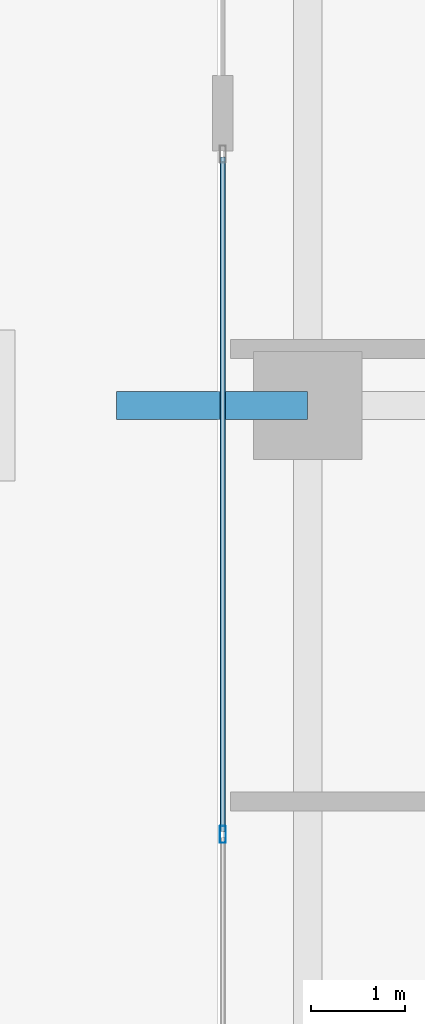
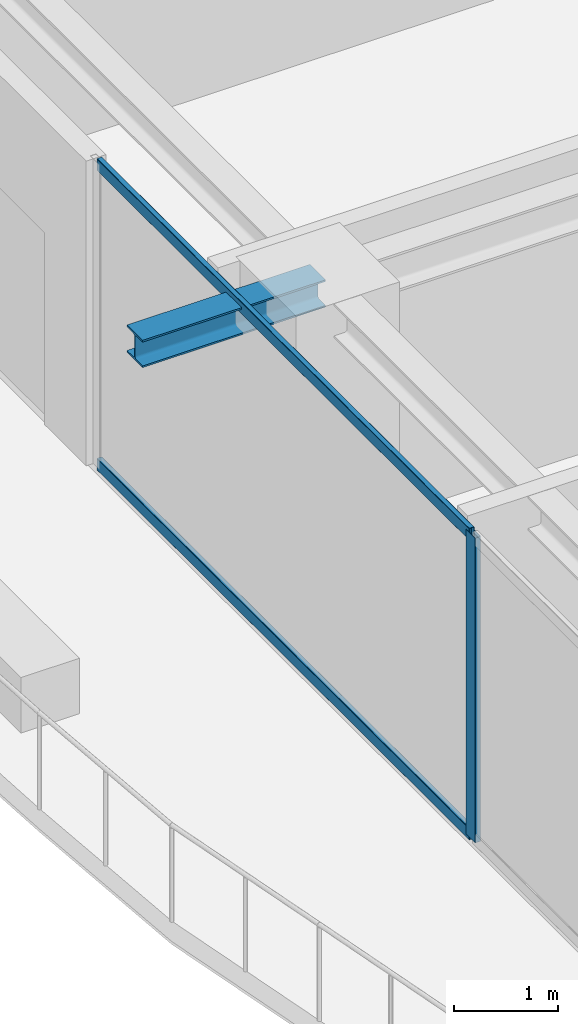
# One storey, part 8 of 36: 3 members, 1 beam, 1 element without a shape of its own.
"""IFC4 building model written with IfcOpenShell, lengths in metres."""

from ifc_helpers import new_model, si_unit, direction, frame, origin, origin_2d, place, context, subcontext, project, spatial, hollow_rectangle, i_section, extrude, source, transform, mapped, material, layer, layer_set, material_profile, profile_set, type_object, element, aggregate, save


model = new_model("IFC4")

# Units and contexts
model_context = context("Model", 3, precision=1e-05, world=origin(), true_north=direction((0.0, 1.0)))
body_context = subcontext(model_context, "Body", "Model", "MODEL_VIEW")
ifc_project = project(units=[si_unit("LENGTHUNIT", "METRE"), si_unit("AREAUNIT", "SQUARE_METRE"), si_unit("VOLUMEUNIT", "CUBIC_METRE"), si_unit("PLANEANGLEUNIT", "RADIAN"), si_unit("MASSUNIT", "GRAM", prefix="KILO")], contexts=[model_context])

# Site, building, storey
site_placement = place(None, origin())
site = spatial("IfcSite", under=ifc_project, at=site_placement, CompositionType="ELEMENT")
building_placement = place(site_placement, origin())
building = spatial("IfcBuilding", under=site, at=building_placement, Name="Serunith Strait Residences", CompositionType="ELEMENT")
storey_placement = place(building_placement, frame((0.0, 0.0, 256.64990234375)))
storey = spatial("IfcBuildingStorey", under=building, at=storey_placement, Name="L64", CompositionType="ELEMENT", Elevation=256.64990234375)

# Beam
ifc_material_1 = material(Name="Steel S355J2", Category="steel")
ifc_material_profile_1 = material_profile(ifc_material_1, i_section(OverallWidth=0.300048828125, OverallDepth=0.320068359375, WebThickness=0.011474609375, FlangeThickness=0.0205078125, FilletRadius=0.027099609375, at=origin_2d()), Name="HEB 320")
ifc_profile_set_1 = profile_set([ifc_material_profile_1], Name="Steel S355J2")
beam_type = type_object("IfcBeamType", Name="BM-HEB320", PredefinedType="BEAM", material=ifc_profile_set_1)
shared_shape_1 = source(origin(), body_context, "Body", "SweptSolid", [
    extrude(i_section(OverallWidth=0.300048828125, OverallDepth=0.320068359375, WebThickness=0.011474609375, FlangeThickness=0.0205078125, FilletRadius=0.027099609375, at=origin_2d()), origin(), (0.0, 0.0, 1.0), 2.030029296875),
])
beam_placement = place(storey_placement, frame((8.300048828125, 21.0, 3.397216796875), z_axis=(-1.0, 0.0, 0.0), x_axis=(0.0, -1.0, 0.0)))
element("IfcBeam", 1, at=beam_placement, inside=storey, type_object=beam_type, Name="L65 Cantilevered Balcony Rib TC-W2", PredefinedType="BEAM", context=body_context, shape_type="MappedRepresentation", body=[
    mapped(shared_shape_1, transform((0.0, 0.0, 0.0), scale=1.0)),
])

# Curtain wall, members
ifc_material_2 = material(Name="Pale-Champagne Anodised Aluminium", Category="aluminium")
ifc_layer = layer(ifc_material_2, 0.199951171875, Name="Pale-Champagne Anodised Aluminium")
ifc_layer_set = layer_set([ifc_layer], Name="Pale-Champagne Anodised Aluminium")
curtain_wall_type = type_object("IfcCurtainWallType", Name="CW-SYS4", PredefinedType="NOTDEFINED", material=ifc_layer_set)
curtain_wall_placement = place(storey_placement, origin())
curtain_wall = element("IfcCurtainWall", 2, at=curtain_wall_placement, inside=storey, type_object=curtain_wall_type, Name="L64 W Unitised Fritted Curtain Wall", PredefinedType="NOTDEFINED")
ifc_material_profile_2 = material_profile(ifc_material_2, hollow_rectangle(XDim=0.06005859375, YDim=0.139892578125, WallThickness=0.00341796875, InnerFilletRadius=0.00537109375, OuterFilletRadius=0.0087890625, at=origin_2d()), Name="ALU 140x60x3.5")
ifc_profile_set_2 = profile_set([ifc_material_profile_2], Name="Pale-Champagne Anodised Aluminium")
member_type_1 = type_object("IfcMemberType", Name="CW-SYS4-TRAN", PredefinedType="USERDEFINED", material=ifc_profile_set_2)
shared_shape_2 = source(origin(), body_context, "Body", "SweptSolid", [
    extrude(hollow_rectangle(XDim=0.06005859375, YDim=0.139892578125, WallThickness=0.00341796875, InnerFilletRadius=0.00537109375, OuterFilletRadius=0.0087890625, at=origin_2d()), origin(), (0.0, 0.0, 1.0), 7.152587890625),
])
member_1_placement = place(storey_placement, frame((7.39990234375, 23.635009765625, 0.030029296875), z_axis=(0.0, -1.0, 0.0), x_axis=(1.0, 0.0, 0.0)))
member_1 = element("IfcMember", 3, at=member_1_placement, type_object=member_type_1, Name="CW-4 transom 1.1", ObjectType="TRANSOM", PredefinedType="USERDEFINED", context=body_context, shape_type="MappedRepresentation", body=[
    mapped(shared_shape_2, transform((0.0, 0.0, 0.0), scale=1.0)),
])
member_2_placement = place(storey_placement, frame((7.39990234375, 23.635009765625, 3.545166015625), z_axis=(0.0, -1.0, 0.0), x_axis=(1.0, 0.0, 0.0)))
member_2 = element("IfcMember", 4, at=member_2_placement, type_object=member_type_1, Name="CW-4 transom 1.2", ObjectType="TRANSOM", PredefinedType="USERDEFINED", context=body_context, shape_type="MappedRepresentation", body=[
    mapped(shared_shape_2, transform((0.0, 0.0, 0.0), scale=1.0)),
])
ifc_material_profile_3 = material_profile(ifc_material_2, hollow_rectangle(XDim=0.06494140625, YDim=0.179931640625, WallThickness=0.00341796875, InnerFilletRadius=0.00537109375, OuterFilletRadius=0.0087890625, at=origin_2d()), Name="ALU 180x65x3.5")
ifc_profile_set_3 = profile_set([ifc_material_profile_3], Name="Pale-Champagne Anodised Aluminium")
member_type_2 = type_object("IfcMemberType", Name="CW-SYS4-MULL", PredefinedType="MULLION", material=ifc_profile_set_3)
shared_shape_3 = source(origin(), body_context, "Body", "SweptSolid", [
    extrude(hollow_rectangle(XDim=0.06494140625, YDim=0.179931640625, WallThickness=0.00341796875, InnerFilletRadius=0.00537109375, OuterFilletRadius=0.0087890625, at=origin_2d()), origin(), (0.0, 0.0, 1.0), 3.5751953125),
])
member_3_placement = place(storey_placement, frame((7.39990234375, 16.449951171875, 0.0), z_axis=(0.0, 0.0, 1.0), x_axis=(1.0, 0.0, 0.0)))
member_3 = element("IfcMember", 5, at=member_3_placement, type_object=member_type_2, Name="CW-4 mullion 2", PredefinedType="MULLION", context=body_context, shape_type="MappedRepresentation", body=[
    mapped(shared_shape_3, transform((0.0, 0.0, 0.0), scale=1.0)),
])
aggregate(curtain_wall, [member_3, member_1, member_2])

save(model, "model.ifc")
